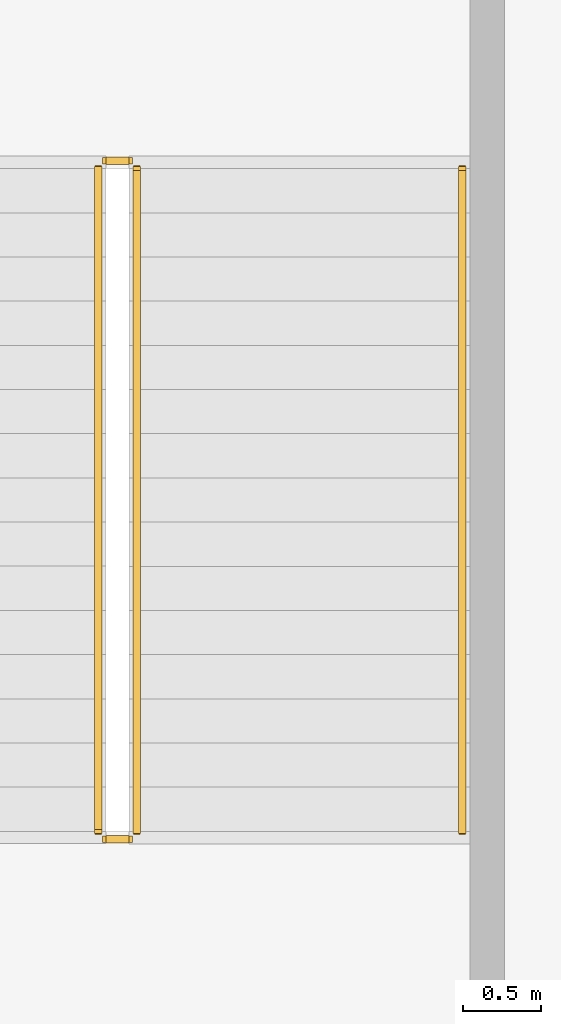
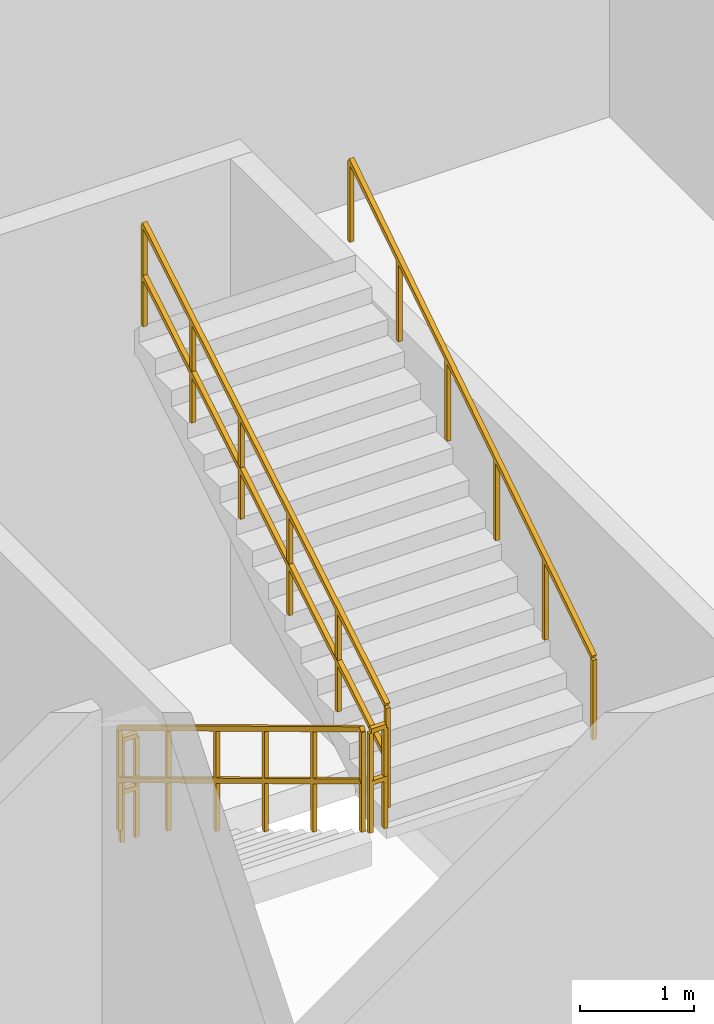
# One storey, part 23 of 23: 5 railings.
"""IFC4 building model written with IfcOpenShell, lengths in metres."""

from ifc_helpers import new_model, si_unit, direction, frame, origin, origin_2d, place, context, subcontext, project, spatial, rectangle, extrude, material, type_object, element, save


model = new_model("IFC4")

# Units and contexts
model_context = context("Model", 3, precision=1e-05, world=origin(), true_north=direction((0.0, 1.0)))
body_context = subcontext(model_context, "Body", "Model", "MODEL_VIEW")
ifc_project = project(units=[si_unit("LENGTHUNIT", "METRE"), si_unit("AREAUNIT", "SQUARE_METRE"), si_unit("VOLUMEUNIT", "CUBIC_METRE"), si_unit("PLANEANGLEUNIT", "RADIAN"), si_unit("MASSUNIT", "GRAM", prefix="KILO")], contexts=[model_context])

# Site, building, storey
site_placement = place(None, origin())
site = spatial("IfcSite", under=ifc_project, at=site_placement, CompositionType="ELEMENT")
building_placement = place(site_placement, origin())
building = spatial("IfcBuilding", under=site, at=building_placement, Name="Apsidion Concourse Tower", CompositionType="ELEMENT")
storey_placement = place(building_placement, frame((0.0, 0.0, 6.0)))
storey = spatial("IfcBuildingStorey", under=building, at=storey_placement, Name="L01", CompositionType="ELEMENT", Elevation=6.0)

# Railings
ifc_material = material(Name="Brushed stainless steel 316", Category="steel")
railing_type_1 = type_object("IfcRailingType", Name="RL-GUARD-1100", PredefinedType="GUARDRAIL", material=ifc_material)
railing_1_placement = place(storey_placement, frame((31.800048828125, 22.60009765625, 0.171875)))
element("IfcRailing", 1, at=railing_1_placement, inside=storey, type_object=railing_type_1, Name="L01 ST-P4 stair guard 1", PredefinedType="GUARDRAIL", context=body_context, shape_type="SweptSolid", body=[
    extrude(rectangle(XDim=0.048095703125, YDim=0.048095703125, at=origin_2d()), frame((0.0, 0.0, 1.09619140625), z_axis=(0.0, -0.856338681044, 0.516414623484), x_axis=(1.0, 0.0, 0.0)), (0.0, 0.0, 1.0), 4.992431640625),
    extrude(rectangle(XDim=0.048095703125, YDim=0.048095703125, at=origin_2d()), frame((0.0, 0.0, 0.5361328125), z_axis=(0.0, -0.856338681044, 0.516414623484), x_axis=(1.0, 0.0, 0.0)), (0.0, 0.0, 1.0), 4.992431640625),
    extrude(rectangle(XDim=0.0419921875, YDim=0.0419921875, at=origin_2d()), origin(), (0.0, 0.0, 1.0), 1.072021484375),
    extrude(rectangle(XDim=0.0419921875, YDim=0.0419921875, at=origin_2d()), frame((0.0, -0.85498046875, 0.515625)), (0.0, 0.0, 1.0), 1.072021484375),
    extrude(rectangle(XDim=0.0419921875, YDim=0.0419921875, at=origin_2d()), frame((0.0, -1.7099609375, 1.03125)), (0.0, 0.0, 1.0), 1.072021484375),
    extrude(rectangle(XDim=0.0419921875, YDim=0.0419921875, at=origin_2d()), frame((0.0, -2.565185546875, 1.546875)), (0.0, 0.0, 1.0), 1.072021484375),
    extrude(rectangle(XDim=0.0419921875, YDim=0.0419921875, at=origin_2d()), frame((0.0, -3.420166015625, 2.0625)), (0.0, 0.0, 1.0), 1.072021484375),
    extrude(rectangle(XDim=0.0419921875, YDim=0.0419921875, at=origin_2d()), frame((0.0, -4.275146484375, 2.578125)), (0.0, 0.0, 1.0), 1.072021484375),
])
railing_2_placement = place(storey_placement, frame((31.85009765625, 18.27490234375, 2.75)))
element("IfcRailing", 2, at=railing_2_placement, inside=storey, type_object=railing_type_1, Name="L01 ST-P4 stair guard 2", PredefinedType="GUARDRAIL", context=body_context, shape_type="SweptSolid", body=[
    extrude(rectangle(XDim=0.048095703125, YDim=0.048095703125, at=origin_2d()), frame((0.0, 0.0, 1.09619140625), z_axis=(1.0, 0.0, 0.0), x_axis=(0.0, 1.0, 0.0)), (0.0, 0.0, 1.0), 0.14990234375),
    extrude(rectangle(XDim=0.048095703125, YDim=0.048095703125, at=origin_2d()), frame((0.0, 0.0, 0.5361328125), z_axis=(1.0, 0.0, 0.0), x_axis=(0.0, 1.0, 0.0)), (0.0, 0.0, 1.0), 0.14990234375),
    extrude(rectangle(XDim=0.0419921875, YDim=0.0419921875, at=origin_2d()), origin(), (0.0, 0.0, 1.0), 1.072021484375),
    extrude(rectangle(XDim=0.0419921875, YDim=0.0419921875, at=origin_2d()), frame((0.14990234375, 0.0, 0.0)), (0.0, 0.0, 1.0), 1.072021484375),
])
railing_3_placement = place(storey_placement, frame((32.050048828125, 18.324951171875, 2.921875)))
element("IfcRailing", 3, at=railing_3_placement, inside=storey, type_object=railing_type_1, Name="L01 ST-P4 stair guard 3", PredefinedType="GUARDRAIL", context=body_context, shape_type="SweptSolid", body=[
    extrude(rectangle(XDim=0.048095703125, YDim=0.048095703125, at=origin_2d()), frame((0.0, 0.0, 1.09619140625), z_axis=(0.0, 0.856338681044, 0.516414623484), x_axis=(-1.0, 0.0, 0.0)), (0.0, 0.0, 1.0), 4.992431640625),
    extrude(rectangle(XDim=0.048095703125, YDim=0.048095703125, at=origin_2d()), frame((0.0, 0.0, 0.5361328125), z_axis=(0.0, 0.856338681044, 0.516414623484), x_axis=(-1.0, 0.0, 0.0)), (0.0, 0.0, 1.0), 4.992431640625),
    extrude(rectangle(XDim=0.0419921875, YDim=0.0419921875, at=origin_2d()), origin(), (0.0, 0.0, 1.0), 1.072021484375),
    extrude(rectangle(XDim=0.0419921875, YDim=0.0419921875, at=origin_2d()), frame((0.0, 0.85498046875, 0.515625)), (0.0, 0.0, 1.0), 1.072021484375),
    extrude(rectangle(XDim=0.0419921875, YDim=0.0419921875, at=origin_2d()), frame((0.0, 1.7099609375, 1.03125)), (0.0, 0.0, 1.0), 1.072021484375),
    extrude(rectangle(XDim=0.0419921875, YDim=0.0419921875, at=origin_2d()), frame((0.0, 2.565185546875, 1.546875)), (0.0, 0.0, 1.0), 1.072021484375),
    extrude(rectangle(XDim=0.0419921875, YDim=0.0419921875, at=origin_2d()), frame((0.0, 3.420166015625, 2.0625)), (0.0, 0.0, 1.0), 1.072021484375),
    extrude(rectangle(XDim=0.0419921875, YDim=0.0419921875, at=origin_2d()), frame((0.0, 4.275146484375, 2.578125)), (0.0, 0.0, 1.0), 1.072021484375),
])
railing_4_placement = place(storey_placement, frame((31.85009765625, 22.64990234375, 0.0)))
element("IfcRailing", 4, at=railing_4_placement, inside=storey, type_object=railing_type_1, Name="L01 ST-P4 stair guard 4", PredefinedType="GUARDRAIL", context=body_context, shape_type="SweptSolid", body=[
    extrude(rectangle(XDim=0.048095703125, YDim=0.048095703125, at=origin_2d()), frame((0.0, 0.0, 1.09619140625), z_axis=(1.0, 0.0, 0.0), x_axis=(0.0, 1.0, 0.0)), (0.0, 0.0, 1.0), 0.14990234375),
    extrude(rectangle(XDim=0.048095703125, YDim=0.048095703125, at=origin_2d()), frame((0.0, 0.0, 0.5361328125), z_axis=(1.0, 0.0, 0.0), x_axis=(0.0, 1.0, 0.0)), (0.0, 0.0, 1.0), 0.14990234375),
    extrude(rectangle(XDim=0.0419921875, YDim=0.0419921875, at=origin_2d()), origin(), (0.0, 0.0, 1.0), 1.072021484375),
    extrude(rectangle(XDim=0.0419921875, YDim=0.0419921875, at=origin_2d()), frame((0.14990234375, 0.0, 0.0)), (0.0, 0.0, 1.0), 1.072021484375),
])
railing_type_2 = type_object("IfcRailingType", Name="RL-HAND-900", PredefinedType="HANDRAIL", material=ifc_material)
railing_5_placement = place(storey_placement, frame((34.14990234375, 18.324951171875, 2.921875)))
element("IfcRailing", 5, at=railing_5_placement, inside=storey, type_object=railing_type_2, Name="L01 ST-P4 stair handrail 2", PredefinedType="HANDRAIL", context=body_context, shape_type="SweptSolid", body=[
    extrude(rectangle(XDim=0.048095703125, YDim=0.048095703125, at=origin_2d()), frame((0.0, 0.0, 0.8759765625), z_axis=(0.0, 0.84102707462, 0.540993031153), x_axis=(-1.0, 0.0, 0.0)), (0.0, 0.0, 1.0), 5.083251953125),
    extrude(rectangle(XDim=0.0419921875, YDim=0.0419921875, at=origin_2d()), origin(), (0.0, 0.0, 1.0), 0.851806640625),
    extrude(rectangle(XDim=0.0419921875, YDim=0.0419921875, at=origin_2d()), frame((0.0, 0.85498046875, 0.550048828125)), (0.0, 0.0, 1.0), 0.851806640625),
    extrude(rectangle(XDim=0.0419921875, YDim=0.0419921875, at=origin_2d()), frame((0.0, 1.7099609375, 1.10009765625)), (0.0, 0.0, 1.0), 0.851806640625),
    extrude(rectangle(XDim=0.0419921875, YDim=0.0419921875, at=origin_2d()), frame((0.0, 2.565185546875, 1.64990234375)), (0.0, 0.0, 1.0), 0.851806640625),
    extrude(rectangle(XDim=0.0419921875, YDim=0.0419921875, at=origin_2d()), frame((0.0, 3.420166015625, 2.199951171875)), (0.0, 0.0, 1.0), 0.851806640625),
    extrude(rectangle(XDim=0.0419921875, YDim=0.0419921875, at=origin_2d()), frame((0.0, 4.275146484375, 2.75)), (0.0, 0.0, 1.0), 0.851806640625),
])

save(model, "model.ifc")
